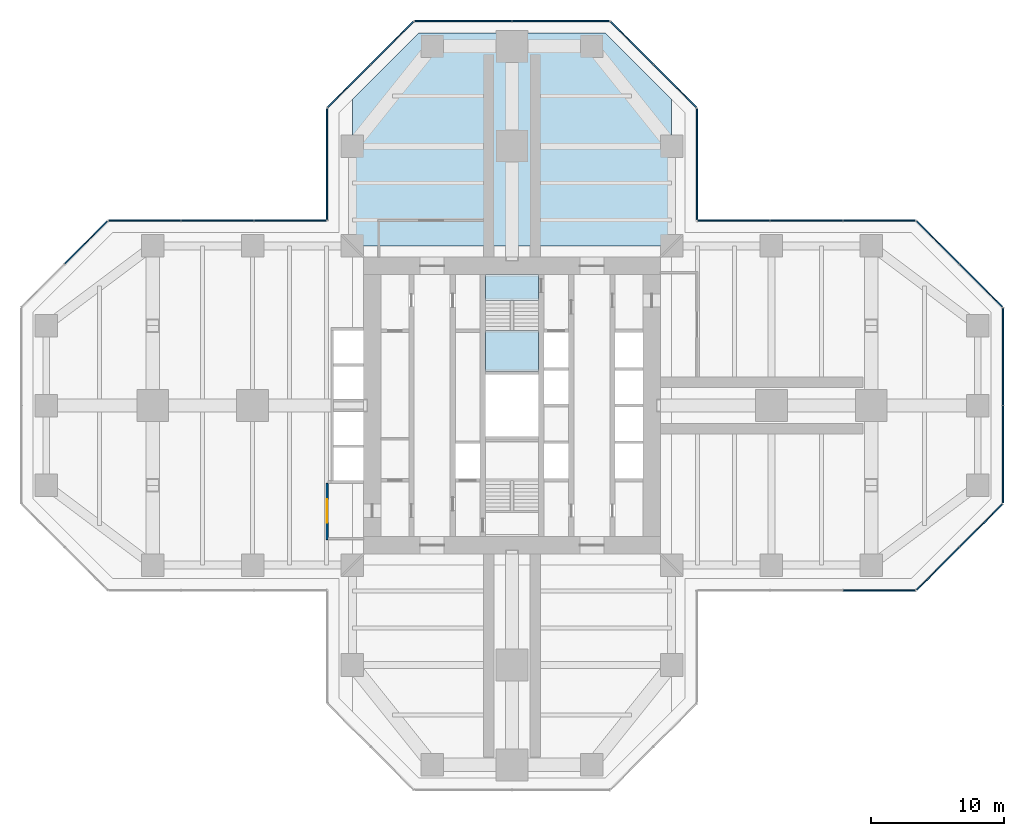
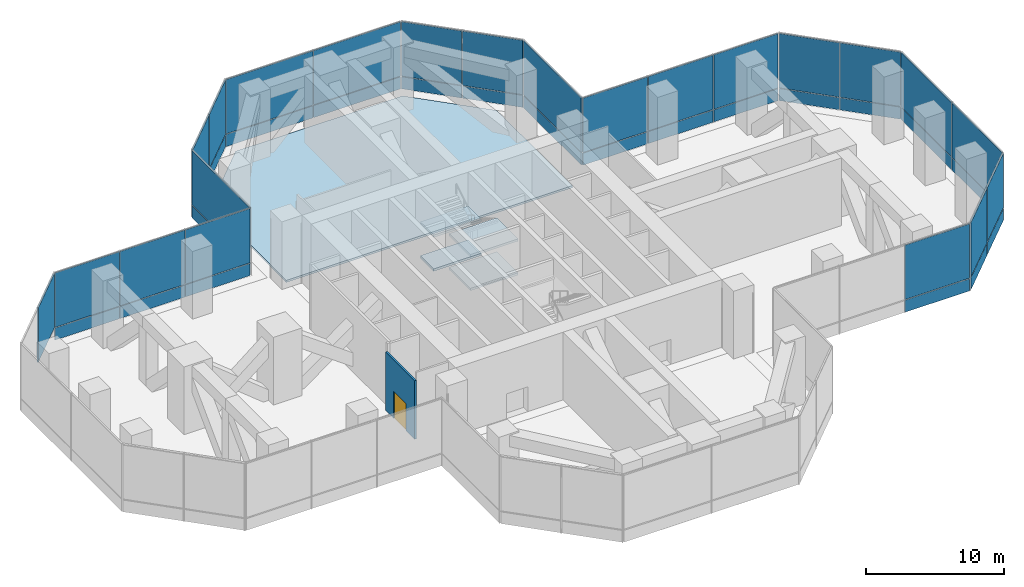
# One storey, part 13 of 19: 43 plates, 5 slabs, 1 door, 1 wall, 1 opening, 13 elements without a shape of their own.
"""IFC4 building model written with IfcOpenShell, lengths in metres."""

from ifc_helpers import new_model, si_unit, direction, frame, frame_2d, origin, origin_2d, place, context, subcontext, project, spatial, polyline, rectangle, outline, extrude, material, layer, layer_set, type_object, element, fill, aggregate, save


model = new_model("IFC4")

# Units and contexts
model_context = context("Model", 3, precision=1e-05, world=origin(), true_north=direction((0.0, 1.0)))
body_context = subcontext(model_context, "Body", "Model", "MODEL_VIEW")
ifc_project = project(units=[si_unit("LENGTHUNIT", "METRE"), si_unit("AREAUNIT", "SQUARE_METRE"), si_unit("VOLUMEUNIT", "CUBIC_METRE"), si_unit("PLANEANGLEUNIT", "RADIAN"), si_unit("MASSUNIT", "GRAM", prefix="KILO")], contexts=[model_context])

# Site, building, storey
site_placement = place(None, origin())
site = spatial("IfcSite", under=ifc_project, at=site_placement, CompositionType="ELEMENT")
building_placement = place(site_placement, origin())
building = spatial("IfcBuilding", under=site, at=building_placement, Name="Mizan Broadcast Tower", CompositionType="ELEMENT")
storey_placement = place(building_placement, frame((0.0, 0.0, 198.89990234375)))
storey = spatial("IfcBuildingStorey", under=building, at=storey_placement, Name="L46", CompositionType="ELEMENT", Elevation=198.89990234375)

# Curtain wall, plates
ifc_material_1 = material(Name="Aluminium framed glazing", Category="aluminium")
curtain_wall_type = type_object("IfcCurtainWallType", Name="PLANT LOUVRE", PredefinedType="USERDEFINED", material=ifc_material_1)
curtain_wall_1_placement = place(storey_placement, origin())
curtain_wall_1 = element("IfcCurtainWall", 1, at=curtain_wall_1_placement, inside=storey, type_object=curtain_wall_type, Name="Plant louvre L46 E side", ObjectType="PLANT LOUVRE", PredefinedType="USERDEFINED")
ifc_material_2 = material(Name="Extruded aluminium weather louvre, pale anodised", Category="aluminium")
ifc_layer_1 = layer(ifc_material_2, 0.10009765625)
ifc_layer_set_1 = layer_set([ifc_layer_1], Name="Extruded aluminium weather louvre, pale anodised")
plate_type = type_object("IfcPlateType", Name="PLANT LOUVRE PANEL", PredefinedType="USERDEFINED", material=ifc_layer_set_1)
plate_1_placement = place(storey_placement, frame((27.6123046875, -13.89990234375, 0.0), z_axis=(0.0, 0.0, 1.0), x_axis=(1.0, 0.0, 0.0)))
plate_1 = element("IfcPlate", 2, at=plate_1_placement, type_object=plate_type, Name="Plant louvre L46 E side panel 3.1", ObjectType="LOUVRE", PredefinedType="USERDEFINED", context=body_context, shape_type="SweptSolid", body=[
    extrude(rectangle(XDim=5.40087890625, YDim=0.10009765625, at=origin_2d()), origin(), (0.0, 0.0, 1.0), 1.070068359375),
])
plate_2_placement = place(storey_placement, frame((27.6123046875, -13.89990234375, 1.130126953125), z_axis=(0.0, 0.0, 1.0), x_axis=(1.0, 0.0, 0.0)))
plate_2 = element("IfcPlate", 3, at=plate_2_placement, type_object=plate_type, Name="Plant louvre L46 E side panel 3.2", ObjectType="LOUVRE", PredefinedType="USERDEFINED", context=body_context, shape_type="SweptSolid", body=[
    extrude(rectangle(XDim=5.40087890625, YDim=0.10009765625, at=origin_2d()), origin(), (0.0, 0.0, 1.0), 4.81005859375),
])
aggregate(curtain_wall_1, [plate_1, plate_2])

curtain_wall_2_placement = place(storey_placement, origin())
curtain_wall_2 = element("IfcCurtainWall", 4, at=curtain_wall_2_placement, inside=storey, type_object=curtain_wall_type, Name="Plant louvre L46 E chamfer", ObjectType="PLANT LOUVRE", PredefinedType="USERDEFINED")
plate_3_placement = place(storey_placement, frame((32.01513671875, -12.257568359375, 0.0), z_axis=(0.0, 0.0, 1.0), x_axis=(0.707106781187, 0.707106781187, 0.0)))
plate_3 = element("IfcPlate", 5, at=plate_3_placement, type_object=plate_type, Name="Plant louvre L46 E chamfer panel 1.1", ObjectType="LOUVRE", PredefinedType="USERDEFINED", context=body_context, shape_type="SweptSolid", body=[
    extrude(rectangle(XDim=4.525390625, YDim=0.10009765625, at=origin_2d()), origin(), (0.0, 0.0, 1.0), 1.070068359375),
])
plate_4_placement = place(storey_placement, frame((32.01513671875, -12.257568359375, 1.130126953125), z_axis=(0.0, 0.0, 1.0), x_axis=(0.707106781187, 0.707106781187, 0.0)))
plate_4 = element("IfcPlate", 6, at=plate_4_placement, type_object=plate_type, Name="Plant louvre L46 E chamfer panel 1.2", ObjectType="LOUVRE", PredefinedType="USERDEFINED", context=body_context, shape_type="SweptSolid", body=[
    extrude(rectangle(XDim=4.525390625, YDim=0.10009765625, at=origin_2d()), origin(), (0.0, 0.0, 1.0), 4.81005859375),
])
plate_5_placement = place(storey_placement, frame((35.257568359375, -9.01513671875, 0.0), z_axis=(0.0, 0.0, 1.0), x_axis=(0.707106781187, 0.707106781187, 0.0)))
plate_5 = element("IfcPlate", 7, at=plate_5_placement, type_object=plate_type, Name="Plant louvre L46 E chamfer panel 2.1", ObjectType="LOUVRE", PredefinedType="USERDEFINED", context=body_context, shape_type="SweptSolid", body=[
    extrude(rectangle(XDim=4.525390625, YDim=0.10009765625, at=origin_2d()), origin(), (0.0, 0.0, 1.0), 1.070068359375),
])
plate_6_placement = place(storey_placement, frame((35.257568359375, -9.01513671875, 1.130126953125), z_axis=(0.0, 0.0, 1.0), x_axis=(0.707106781187, 0.707106781187, 0.0)))
plate_6 = element("IfcPlate", 8, at=plate_6_placement, type_object=plate_type, Name="Plant louvre L46 E chamfer panel 2.2", ObjectType="LOUVRE", PredefinedType="USERDEFINED", context=body_context, shape_type="SweptSolid", body=[
    extrude(rectangle(XDim=4.525390625, YDim=0.10009765625, at=origin_2d()), origin(), (0.0, 0.0, 1.0), 4.81005859375),
])
aggregate(curtain_wall_2, [plate_3, plate_4, plate_5, plate_6])

curtain_wall_3_placement = place(storey_placement, origin())
curtain_wall_3 = element("IfcCurtainWall", 9, at=curtain_wall_3_placement, inside=storey, type_object=curtain_wall_type, Name="Plant louvre L46 E end", ObjectType="PLANT LOUVRE", PredefinedType="USERDEFINED")
plate_7_placement = place(storey_placement, frame((36.89990234375, -3.67138671875, 0.0), z_axis=(0.0, 0.0, 1.0), x_axis=(0.0, 1.0, 0.0)))
plate_7 = element("IfcPlate", 10, at=plate_7_placement, type_object=plate_type, Name="Plant louvre L46 E end panel 1.1", ObjectType="LOUVRE", PredefinedType="USERDEFINED", context=body_context, shape_type="SweptSolid", body=[
    extrude(rectangle(XDim=7.28271484375, YDim=0.10009765625, at=origin_2d()), origin(), (0.0, 0.0, 1.0), 1.070068359375),
])
plate_8_placement = place(storey_placement, frame((36.89990234375, -3.67138671875, 1.130126953125), z_axis=(0.0, 0.0, 1.0), x_axis=(0.0, 1.0, 0.0)))
plate_8 = element("IfcPlate", 11, at=plate_8_placement, type_object=plate_type, Name="Plant louvre L46 E end panel 1.2", ObjectType="LOUVRE", PredefinedType="USERDEFINED", context=body_context, shape_type="SweptSolid", body=[
    extrude(rectangle(XDim=7.28271484375, YDim=0.10009765625, at=origin_2d()), origin(), (0.0, 0.0, 1.0), 4.81005859375),
])
plate_9_placement = place(storey_placement, frame((36.89990234375, 3.67138671875, 0.0), z_axis=(0.0, 0.0, 1.0), x_axis=(0.0, 1.0, 0.0)))
plate_9 = element("IfcPlate", 12, at=plate_9_placement, type_object=plate_type, Name="Plant louvre L46 E end panel 2.1", ObjectType="LOUVRE", PredefinedType="USERDEFINED", context=body_context, shape_type="SweptSolid", body=[
    extrude(rectangle(XDim=7.28271484375, YDim=0.10009765625, at=origin_2d()), origin(), (0.0, 0.0, 1.0), 1.070068359375),
])
plate_10_placement = place(storey_placement, frame((36.89990234375, 3.67138671875, 1.130126953125), z_axis=(0.0, 0.0, 1.0), x_axis=(0.0, 1.0, 0.0)))
plate_10 = element("IfcPlate", 13, at=plate_10_placement, type_object=plate_type, Name="Plant louvre L46 E end panel 2.2", ObjectType="LOUVRE", PredefinedType="USERDEFINED", context=body_context, shape_type="SweptSolid", body=[
    extrude(rectangle(XDim=7.28271484375, YDim=0.10009765625, at=origin_2d()), origin(), (0.0, 0.0, 1.0), 4.81005859375),
])
aggregate(curtain_wall_3, [plate_7, plate_8, plate_9, plate_10])

curtain_wall_4_placement = place(storey_placement, origin())
curtain_wall_4 = element("IfcCurtainWall", 14, at=curtain_wall_4_placement, inside=storey, type_object=curtain_wall_type, Name="Plant louvre L46 E chamfer", ObjectType="PLANT LOUVRE", PredefinedType="USERDEFINED")
plate_11_placement = place(storey_placement, frame((35.257568359375, 9.01513671875, 0.0), z_axis=(0.0, 0.0, 1.0), x_axis=(-0.707106781187, 0.707106781187, 0.0)))
plate_11 = element("IfcPlate", 15, at=plate_11_placement, type_object=plate_type, Name="Plant louvre L46 E chamfer panel 1.1", ObjectType="LOUVRE", PredefinedType="USERDEFINED", context=body_context, shape_type="SweptSolid", body=[
    extrude(rectangle(XDim=4.525390625, YDim=0.10009765625, at=origin_2d()), origin(), (0.0, 0.0, 1.0), 1.070068359375),
])
plate_12_placement = place(storey_placement, frame((35.257568359375, 9.01513671875, 1.130126953125), z_axis=(0.0, 0.0, 1.0), x_axis=(-0.707106781187, 0.707106781187, 0.0)))
plate_12 = element("IfcPlate", 16, at=plate_12_placement, type_object=plate_type, Name="Plant louvre L46 E chamfer panel 1.2", ObjectType="LOUVRE", PredefinedType="USERDEFINED", context=body_context, shape_type="SweptSolid", body=[
    extrude(rectangle(XDim=4.525390625, YDim=0.10009765625, at=origin_2d()), origin(), (0.0, 0.0, 1.0), 4.81005859375),
])
plate_13_placement = place(storey_placement, frame((32.01513671875, 12.257568359375, 0.0), z_axis=(0.0, 0.0, 1.0), x_axis=(-0.707106781187, 0.707106781187, 0.0)))
plate_13 = element("IfcPlate", 17, at=plate_13_placement, type_object=plate_type, Name="Plant louvre L46 E chamfer panel 2.1", ObjectType="LOUVRE", PredefinedType="USERDEFINED", context=body_context, shape_type="SweptSolid", body=[
    extrude(rectangle(XDim=4.525390625, YDim=0.10009765625, at=origin_2d()), origin(), (0.0, 0.0, 1.0), 1.070068359375),
])
plate_14_placement = place(storey_placement, frame((32.01513671875, 12.257568359375, 1.130126953125), z_axis=(0.0, 0.0, 1.0), x_axis=(-0.707106781187, 0.707106781187, 0.0)))
plate_14 = element("IfcPlate", 18, at=plate_14_placement, type_object=plate_type, Name="Plant louvre L46 E chamfer panel 2.2", ObjectType="LOUVRE", PredefinedType="USERDEFINED", context=body_context, shape_type="SweptSolid", body=[
    extrude(rectangle(XDim=4.525390625, YDim=0.10009765625, at=origin_2d()), origin(), (0.0, 0.0, 1.0), 4.81005859375),
])
aggregate(curtain_wall_4, [plate_11, plate_12, plate_13, plate_14])

curtain_wall_5_placement = place(storey_placement, origin())
curtain_wall_5 = element("IfcCurtainWall", 19, at=curtain_wall_5_placement, inside=storey, type_object=curtain_wall_type, Name="Plant louvre L46 E side", ObjectType="PLANT LOUVRE", PredefinedType="USERDEFINED")
plate_15_placement = place(storey_placement, frame((27.6123046875, 13.89990234375, 0.0), z_axis=(0.0, 0.0, 1.0), x_axis=(-1.0, 0.0, 0.0)))
plate_15 = element("IfcPlate", 20, at=plate_15_placement, type_object=plate_type, Name="Plant louvre L46 E side panel 1.1", ObjectType="LOUVRE", PredefinedType="USERDEFINED", context=body_context, shape_type="SweptSolid", body=[
    extrude(rectangle(XDim=5.40087890625, YDim=0.10009765625, at=origin_2d()), origin(), (0.0, 0.0, 1.0), 1.070068359375),
])
plate_16_placement = place(storey_placement, frame((27.6123046875, 13.89990234375, 1.130126953125), z_axis=(0.0, 0.0, 1.0), x_axis=(-1.0, 0.0, 0.0)))
plate_16 = element("IfcPlate", 21, at=plate_16_placement, type_object=plate_type, Name="Plant louvre L46 E side panel 1.2", ObjectType="LOUVRE", PredefinedType="USERDEFINED", context=body_context, shape_type="SweptSolid", body=[
    extrude(rectangle(XDim=5.40087890625, YDim=0.10009765625, at=origin_2d()), origin(), (0.0, 0.0, 1.0), 4.81005859375),
])
plate_17_placement = place(storey_placement, frame((22.136474609375, 13.89990234375, 0.0), z_axis=(0.0, 0.0, 1.0), x_axis=(-1.0, 0.0, 0.0)))
plate_17 = element("IfcPlate", 22, at=plate_17_placement, type_object=plate_type, Name="Plant louvre L46 E side panel 2.1", ObjectType="LOUVRE", PredefinedType="USERDEFINED", context=body_context, shape_type="SweptSolid", body=[
    extrude(rectangle(XDim=5.430908203125, YDim=0.10009765625, at=origin_2d()), origin(), (0.0, 0.0, 1.0), 1.070068359375),
])
plate_18_placement = place(storey_placement, frame((22.136474609375, 13.89990234375, 1.130126953125), z_axis=(0.0, 0.0, 1.0), x_axis=(-1.0, 0.0, 0.0)))
plate_18 = element("IfcPlate", 23, at=plate_18_placement, type_object=plate_type, Name="Plant louvre L46 E side panel 2.2", ObjectType="LOUVRE", PredefinedType="USERDEFINED", context=body_context, shape_type="SweptSolid", body=[
    extrude(rectangle(XDim=5.430908203125, YDim=0.10009765625, at=origin_2d()), origin(), (0.0, 0.0, 1.0), 4.81005859375),
])
plate_19_placement = place(storey_placement, frame((16.660400390625, 13.89990234375, 0.0), z_axis=(0.0, 0.0, 1.0), x_axis=(-1.0, 0.0, 0.0)))
plate_19 = element("IfcPlate", 24, at=plate_19_placement, type_object=plate_type, Name="Plant louvre L46 E side panel 3.1", ObjectType="LOUVRE", PredefinedType="USERDEFINED", context=body_context, shape_type="SweptSolid", body=[
    extrude(rectangle(XDim=5.40087890625, YDim=0.10009765625, at=origin_2d()), origin(), (0.0, 0.0, 1.0), 1.070068359375),
])
plate_20_placement = place(storey_placement, frame((16.660400390625, 13.89990234375, 1.130126953125), z_axis=(0.0, 0.0, 1.0), x_axis=(-1.0, 0.0, 0.0)))
plate_20 = element("IfcPlate", 25, at=plate_20_placement, type_object=plate_type, Name="Plant louvre L46 E side panel 3.2", ObjectType="LOUVRE", PredefinedType="USERDEFINED", context=body_context, shape_type="SweptSolid", body=[
    extrude(rectangle(XDim=5.40087890625, YDim=0.10009765625, at=origin_2d()), origin(), (0.0, 0.0, 1.0), 4.81005859375),
])
aggregate(curtain_wall_5, [plate_15, plate_16, plate_17, plate_18, plate_19, plate_20])

curtain_wall_6_placement = place(storey_placement, origin())
curtain_wall_6 = element("IfcCurtainWall", 26, at=curtain_wall_6_placement, inside=storey, type_object=curtain_wall_type, Name="Plant louvre L46 N side", ObjectType="PLANT LOUVRE", PredefinedType="USERDEFINED")
plate_21_placement = place(storey_placement, frame((13.89990234375, 18.136474609375, 0.0), z_axis=(0.0, 0.0, 1.0), x_axis=(0.0, 1.0, 0.0)))
plate_21 = element("IfcPlate", 27, at=plate_21_placement, type_object=plate_type, Name="Plant louvre L46 N side panel 1.1", ObjectType="LOUVRE", PredefinedType="USERDEFINED", context=body_context, shape_type="SweptSolid", body=[
    extrude(rectangle(XDim=8.352783203125, YDim=0.10009765625, at=origin_2d()), origin(), (0.0, 0.0, 1.0), 1.070068359375),
])
plate_22_placement = place(storey_placement, frame((13.89990234375, 18.136474609375, 1.130126953125), z_axis=(0.0, 0.0, 1.0), x_axis=(0.0, 1.0, 0.0)))
plate_22 = element("IfcPlate", 28, at=plate_22_placement, type_object=plate_type, Name="Plant louvre L46 N side panel 1.2", ObjectType="LOUVRE", PredefinedType="USERDEFINED", context=body_context, shape_type="SweptSolid", body=[
    extrude(rectangle(XDim=8.352783203125, YDim=0.10009765625, at=origin_2d()), origin(), (0.0, 0.0, 1.0), 4.81005859375),
])
aggregate(curtain_wall_6, [plate_21, plate_22])

curtain_wall_7_placement = place(storey_placement, origin())
curtain_wall_7 = element("IfcCurtainWall", 29, at=curtain_wall_7_placement, inside=storey, type_object=curtain_wall_type, Name="Plant louvre L46 N chamfer", ObjectType="PLANT LOUVRE", PredefinedType="USERDEFINED")
plate_23_placement = place(storey_placement, frame((12.257568359375, 24.01513671875, 0.0), z_axis=(0.0, 0.0, 1.0), x_axis=(-0.707106781187, 0.707106781187, 0.0)))
plate_23 = element("IfcPlate", 30, at=plate_23_placement, type_object=plate_type, Name="Plant louvre L46 N chamfer panel 1.1", ObjectType="LOUVRE", PredefinedType="USERDEFINED", context=body_context, shape_type="SweptSolid", body=[
    extrude(rectangle(XDim=4.525390625, YDim=0.10009765625, at=origin_2d()), origin(), (0.0, 0.0, 1.0), 1.070068359375),
])
plate_24_placement = place(storey_placement, frame((12.257568359375, 24.01513671875, 1.130126953125), z_axis=(0.0, 0.0, 1.0), x_axis=(-0.707106781187, 0.707106781187, 0.0)))
plate_24 = element("IfcPlate", 31, at=plate_24_placement, type_object=plate_type, Name="Plant louvre L46 N chamfer panel 1.2", ObjectType="LOUVRE", PredefinedType="USERDEFINED", context=body_context, shape_type="SweptSolid", body=[
    extrude(rectangle(XDim=4.525390625, YDim=0.10009765625, at=origin_2d()), origin(), (0.0, 0.0, 1.0), 4.81005859375),
])
plate_25_placement = place(storey_placement, frame((9.01513671875, 27.257568359375, 0.0), z_axis=(0.0, 0.0, 1.0), x_axis=(-0.707106781187, 0.707106781187, 0.0)))
plate_25 = element("IfcPlate", 32, at=plate_25_placement, type_object=plate_type, Name="Plant louvre L46 N chamfer panel 2.1", ObjectType="LOUVRE", PredefinedType="USERDEFINED", context=body_context, shape_type="SweptSolid", body=[
    extrude(rectangle(XDim=4.525390625, YDim=0.10009765625, at=origin_2d()), origin(), (0.0, 0.0, 1.0), 1.070068359375),
])
plate_26_placement = place(storey_placement, frame((9.01513671875, 27.257568359375, 1.130126953125), z_axis=(0.0, 0.0, 1.0), x_axis=(-0.707106781187, 0.707106781187, 0.0)))
plate_26 = element("IfcPlate", 33, at=plate_26_placement, type_object=plate_type, Name="Plant louvre L46 N chamfer panel 2.2", ObjectType="LOUVRE", PredefinedType="USERDEFINED", context=body_context, shape_type="SweptSolid", body=[
    extrude(rectangle(XDim=4.525390625, YDim=0.10009765625, at=origin_2d()), origin(), (0.0, 0.0, 1.0), 4.81005859375),
])
aggregate(curtain_wall_7, [plate_23, plate_24, plate_25, plate_26])

curtain_wall_8_placement = place(storey_placement, origin())
curtain_wall_8 = element("IfcCurtainWall", 34, at=curtain_wall_8_placement, inside=storey, type_object=curtain_wall_type, Name="Plant louvre L46 N end", ObjectType="PLANT LOUVRE", PredefinedType="USERDEFINED")
plate_27_placement = place(storey_placement, frame((3.67138671875, 28.89990234375, 0.0), z_axis=(0.0, 0.0, 1.0), x_axis=(-1.0, 0.0, 0.0)))
plate_27 = element("IfcPlate", 35, at=plate_27_placement, type_object=plate_type, Name="Plant louvre L46 N end panel 1.1", ObjectType="LOUVRE", PredefinedType="USERDEFINED", context=body_context, shape_type="SweptSolid", body=[
    extrude(rectangle(XDim=7.28271484375, YDim=0.10009765625, at=origin_2d()), origin(), (0.0, 0.0, 1.0), 1.070068359375),
])
plate_28_placement = place(storey_placement, frame((3.67138671875, 28.89990234375, 1.130126953125), z_axis=(0.0, 0.0, 1.0), x_axis=(-1.0, 0.0, 0.0)))
plate_28 = element("IfcPlate", 36, at=plate_28_placement, type_object=plate_type, Name="Plant louvre L46 N end panel 1.2", ObjectType="LOUVRE", PredefinedType="USERDEFINED", context=body_context, shape_type="SweptSolid", body=[
    extrude(rectangle(XDim=7.28271484375, YDim=0.10009765625, at=origin_2d()), origin(), (0.0, 0.0, 1.0), 4.81005859375),
])
plate_29_placement = place(storey_placement, frame((-3.67138671875, 28.89990234375, 0.0), z_axis=(0.0, 0.0, 1.0), x_axis=(-1.0, 0.0, 0.0)))
plate_29 = element("IfcPlate", 37, at=plate_29_placement, type_object=plate_type, Name="Plant louvre L46 N end panel 2.1", ObjectType="LOUVRE", PredefinedType="USERDEFINED", context=body_context, shape_type="SweptSolid", body=[
    extrude(rectangle(XDim=7.28271484375, YDim=0.10009765625, at=origin_2d()), origin(), (0.0, 0.0, 1.0), 1.070068359375),
])
plate_30_placement = place(storey_placement, frame((-3.67138671875, 28.89990234375, 1.130126953125), z_axis=(0.0, 0.0, 1.0), x_axis=(-1.0, 0.0, 0.0)))
plate_30 = element("IfcPlate", 38, at=plate_30_placement, type_object=plate_type, Name="Plant louvre L46 N end panel 2.2", ObjectType="LOUVRE", PredefinedType="USERDEFINED", context=body_context, shape_type="SweptSolid", body=[
    extrude(rectangle(XDim=7.28271484375, YDim=0.10009765625, at=origin_2d()), origin(), (0.0, 0.0, 1.0), 4.81005859375),
])
aggregate(curtain_wall_8, [plate_27, plate_28, plate_29, plate_30])

curtain_wall_9_placement = place(storey_placement, origin())
curtain_wall_9 = element("IfcCurtainWall", 39, at=curtain_wall_9_placement, inside=storey, type_object=curtain_wall_type, Name="Plant louvre L46 N chamfer", ObjectType="PLANT LOUVRE", PredefinedType="USERDEFINED")
plate_31_placement = place(storey_placement, frame((-9.01513671875, 27.257568359375, 0.0), z_axis=(0.0, 0.0, 1.0), x_axis=(-0.707106781187, -0.707106781187, 0.0)))
plate_31 = element("IfcPlate", 40, at=plate_31_placement, type_object=plate_type, Name="Plant louvre L46 N chamfer panel 1.1", ObjectType="LOUVRE", PredefinedType="USERDEFINED", context=body_context, shape_type="SweptSolid", body=[
    extrude(rectangle(XDim=4.525390625, YDim=0.10009765625, at=origin_2d()), origin(), (0.0, 0.0, 1.0), 1.070068359375),
])
plate_32_placement = place(storey_placement, frame((-9.01513671875, 27.257568359375, 1.130126953125), z_axis=(0.0, 0.0, 1.0), x_axis=(-0.707106781187, -0.707106781187, 0.0)))
plate_32 = element("IfcPlate", 41, at=plate_32_placement, type_object=plate_type, Name="Plant louvre L46 N chamfer panel 1.2", ObjectType="LOUVRE", PredefinedType="USERDEFINED", context=body_context, shape_type="SweptSolid", body=[
    extrude(rectangle(XDim=4.525390625, YDim=0.10009765625, at=origin_2d()), origin(), (0.0, 0.0, 1.0), 4.81005859375),
])
plate_33_placement = place(storey_placement, frame((-12.257568359375, 24.01513671875, 0.0), z_axis=(0.0, 0.0, 1.0), x_axis=(-0.707106781187, -0.707106781187, 0.0)))
plate_33 = element("IfcPlate", 42, at=plate_33_placement, type_object=plate_type, Name="Plant louvre L46 N chamfer panel 2.1", ObjectType="LOUVRE", PredefinedType="USERDEFINED", context=body_context, shape_type="SweptSolid", body=[
    extrude(rectangle(XDim=4.525390625, YDim=0.10009765625, at=origin_2d()), origin(), (0.0, 0.0, 1.0), 1.070068359375),
])
plate_34_placement = place(storey_placement, frame((-12.257568359375, 24.01513671875, 1.130126953125), z_axis=(0.0, 0.0, 1.0), x_axis=(-0.707106781187, -0.707106781187, 0.0)))
plate_34 = element("IfcPlate", 43, at=plate_34_placement, type_object=plate_type, Name="Plant louvre L46 N chamfer panel 2.2", ObjectType="LOUVRE", PredefinedType="USERDEFINED", context=body_context, shape_type="SweptSolid", body=[
    extrude(rectangle(XDim=4.525390625, YDim=0.10009765625, at=origin_2d()), origin(), (0.0, 0.0, 1.0), 4.81005859375),
])
aggregate(curtain_wall_9, [plate_31, plate_32, plate_33, plate_34])

curtain_wall_10_placement = place(storey_placement, origin())
curtain_wall_10 = element("IfcCurtainWall", 44, at=curtain_wall_10_placement, inside=storey, type_object=curtain_wall_type, Name="Plant louvre L46 N side", ObjectType="PLANT LOUVRE", PredefinedType="USERDEFINED")
plate_35_placement = place(storey_placement, frame((-13.89990234375, 18.136474609375, 0.0), z_axis=(0.0, 0.0, 1.0), x_axis=(0.0, -1.0, 0.0)))
plate_35 = element("IfcPlate", 45, at=plate_35_placement, type_object=plate_type, Name="Plant louvre L46 N side panel 1.1", ObjectType="LOUVRE", PredefinedType="USERDEFINED", context=body_context, shape_type="SweptSolid", body=[
    extrude(rectangle(XDim=8.352783203125, YDim=0.10009765625, at=origin_2d()), origin(), (0.0, 0.0, 1.0), 1.070068359375),
])
plate_36_placement = place(storey_placement, frame((-13.89990234375, 18.136474609375, 1.130126953125), z_axis=(0.0, 0.0, 1.0), x_axis=(0.0, -1.0, 0.0)))
plate_36 = element("IfcPlate", 46, at=plate_36_placement, type_object=plate_type, Name="Plant louvre L46 N side panel 1.2", ObjectType="LOUVRE", PredefinedType="USERDEFINED", context=body_context, shape_type="SweptSolid", body=[
    extrude(rectangle(XDim=8.352783203125, YDim=0.10009765625, at=origin_2d()), origin(), (0.0, 0.0, 1.0), 4.81005859375),
])
aggregate(curtain_wall_10, [plate_35, plate_36])

curtain_wall_11_placement = place(storey_placement, origin())
curtain_wall_11 = element("IfcCurtainWall", 47, at=curtain_wall_11_placement, inside=storey, type_object=curtain_wall_type, Name="Plant louvre L46 W side", ObjectType="PLANT LOUVRE", PredefinedType="USERDEFINED")
plate_37_placement = place(storey_placement, frame((-16.660400390625, 13.89990234375, 0.0), z_axis=(0.0, 0.0, 1.0), x_axis=(-1.0, 0.0, 0.0)))
plate_37 = element("IfcPlate", 48, at=plate_37_placement, type_object=plate_type, Name="Plant louvre L46 W side panel 1.1", ObjectType="LOUVRE", PredefinedType="USERDEFINED", context=body_context, shape_type="SweptSolid", body=[
    extrude(rectangle(XDim=5.40087890625, YDim=0.10009765625, at=origin_2d()), origin(), (0.0, 0.0, 1.0), 1.070068359375),
])
plate_38_placement = place(storey_placement, frame((-16.660400390625, 13.89990234375, 1.130126953125), z_axis=(0.0, 0.0, 1.0), x_axis=(-1.0, 0.0, 0.0)))
plate_38 = element("IfcPlate", 49, at=plate_38_placement, type_object=plate_type, Name="Plant louvre L46 W side panel 1.2", ObjectType="LOUVRE", PredefinedType="USERDEFINED", context=body_context, shape_type="SweptSolid", body=[
    extrude(rectangle(XDim=5.40087890625, YDim=0.10009765625, at=origin_2d()), origin(), (0.0, 0.0, 1.0), 4.81005859375),
])
plate_39_placement = place(storey_placement, frame((-22.136474609375, 13.89990234375, 0.0), z_axis=(0.0, 0.0, 1.0), x_axis=(-1.0, 0.0, 0.0)))
plate_39 = element("IfcPlate", 50, at=plate_39_placement, type_object=plate_type, Name="Plant louvre L46 W side panel 2.1", ObjectType="LOUVRE", PredefinedType="USERDEFINED", context=body_context, shape_type="SweptSolid", body=[
    extrude(rectangle(XDim=5.430908203125, YDim=0.10009765625, at=origin_2d()), origin(), (0.0, 0.0, 1.0), 1.070068359375),
])
plate_40_placement = place(storey_placement, frame((-22.136474609375, 13.89990234375, 1.130126953125), z_axis=(0.0, 0.0, 1.0), x_axis=(-1.0, 0.0, 0.0)))
plate_40 = element("IfcPlate", 51, at=plate_40_placement, type_object=plate_type, Name="Plant louvre L46 W side panel 2.2", ObjectType="LOUVRE", PredefinedType="USERDEFINED", context=body_context, shape_type="SweptSolid", body=[
    extrude(rectangle(XDim=5.430908203125, YDim=0.10009765625, at=origin_2d()), origin(), (0.0, 0.0, 1.0), 4.81005859375),
])
plate_41_placement = place(storey_placement, frame((-27.6123046875, 13.89990234375, 0.0), z_axis=(0.0, 0.0, 1.0), x_axis=(-1.0, 0.0, 0.0)))
plate_41 = element("IfcPlate", 52, at=plate_41_placement, type_object=plate_type, Name="Plant louvre L46 W side panel 3.1", ObjectType="LOUVRE", PredefinedType="USERDEFINED", context=body_context, shape_type="SweptSolid", body=[
    extrude(rectangle(XDim=5.40087890625, YDim=0.10009765625, at=origin_2d()), origin(), (0.0, 0.0, 1.0), 1.070068359375),
])
plate_42_placement = place(storey_placement, frame((-27.6123046875, 13.89990234375, 1.130126953125), z_axis=(0.0, 0.0, 1.0), x_axis=(-1.0, 0.0, 0.0)))
plate_42 = element("IfcPlate", 53, at=plate_42_placement, type_object=plate_type, Name="Plant louvre L46 W side panel 3.2", ObjectType="LOUVRE", PredefinedType="USERDEFINED", context=body_context, shape_type="SweptSolid", body=[
    extrude(rectangle(XDim=5.40087890625, YDim=0.10009765625, at=origin_2d()), origin(), (0.0, 0.0, 1.0), 4.81005859375),
])
aggregate(curtain_wall_11, [plate_37, plate_38, plate_39, plate_40, plate_41, plate_42])

# Curtain wall, plate
curtain_wall_12_placement = place(storey_placement, origin())
curtain_wall_12 = element("IfcCurtainWall", 54, at=curtain_wall_12_placement, inside=storey, type_object=curtain_wall_type, Name="Plant louvre L46 W chamfer", ObjectType="PLANT LOUVRE", PredefinedType="USERDEFINED")
plate_43_placement = place(storey_placement, frame((-32.01513671875, 12.257568359375, 1.130126953125), z_axis=(0.0, 0.0, 1.0), x_axis=(-0.707106781187, -0.707106781187, 0.0)))
plate_43 = element("IfcPlate", 55, at=plate_43_placement, type_object=plate_type, Name="Plant louvre L46 W chamfer panel 1.2", ObjectType="LOUVRE", PredefinedType="USERDEFINED", context=body_context, shape_type="SweptSolid", body=[
    extrude(rectangle(XDim=4.525390625, YDim=0.10009765625, at=origin_2d()), origin(), (0.0, 0.0, 1.0), 4.81005859375),
])
aggregate(curtain_wall_12, [plate_43])

# Slab
ifc_material_3 = material(Name="Concrete C32/40", Category="concrete")
ifc_layer_2 = layer(ifc_material_3, 0.179931640625)
ifc_layer_set_2 = layer_set([ifc_layer_2], Name="Concrete C32/40")
slab_type_1 = type_object("IfcSlabType", Name="RC SLAB ON DECK 180", PredefinedType="FLOOR", material=ifc_layer_set_2)
slab_1_placement = place(storey_placement, frame((0.0, 0.0, -0.179931640625)))
element("IfcSlab", 56, at=slab_1_placement, inside=storey, type_object=slab_type_1, Name="Floor slab L46 north arm", PredefinedType="FLOOR", context=body_context, shape_type="SweptSolid", body=[
    extrude(outline(polyline([(-7.0, 28.0), (-12.0, 23.0), (-12.0, 12.0), (12.0, 12.0), (12.0, 23.0), (7.0, 28.0), (-7.0, 28.0)])), origin(), (0.0, 0.0, 1.0), 0.179931640625),
])

# Stair, slabs
ifc_material_4 = material(Name="Concrete C40/50", Category="concrete")
stair_type = type_object("IfcStairType", Name="EXIT STAIR", PredefinedType="HALF_TURN_STAIR", material=ifc_material_4)
stair_placement = place(storey_placement, origin())
stair = element("IfcStair", 57, at=stair_placement, inside=storey, type_object=stair_type, Name="Stair B L46", PredefinedType="HALF_TURN_STAIR")
ifc_material_5 = material(Name="Concrete C40/50", Category="concrete")
ifc_layer_3 = layer(ifc_material_5, 0.199951171875)
ifc_layer_set_3 = layer_set([ifc_layer_3], Name="Concrete C40/50")
slab_type_2 = type_object("IfcSlabType", Name="STAIR LANDING 200", PredefinedType="LANDING", material=ifc_layer_set_3)
slab_2_placement = place(storey_placement, frame((0.0, 0.0, -0.199951171875)))
slab_2 = element("IfcSlab", 58, at=slab_2_placement, type_object=slab_type_2, Name="B landing 1", PredefinedType="LANDING", context=body_context, shape_type="SweptSolid", body=[
    extrude(outline(polyline([(2.0, 9.85009765625), (2.0, 7.89990234375), (-2.0, 7.89990234375), (-2.0, 9.85009765625), (2.0, 9.85009765625)])), origin(), (0.0, 0.0, 1.0), 0.199951171875),
])
slab_3_placement = place(storey_placement, frame((0.0, 0.0, 1.300048828125)))
slab_3 = element("IfcSlab", 59, at=slab_3_placement, type_object=slab_type_2, Name="B landing 2", PredefinedType="LANDING", context=body_context, shape_type="SweptSolid", body=[
    extrude(outline(polyline([(2.0, 5.659912109375), (2.0, 2.574951171875), (-2.0, 2.574951171875), (-2.0, 5.659912109375), (2.0, 5.659912109375)])), origin(), (0.0, 0.0, 1.0), 0.199951171875),
])
slab_4_placement = place(storey_placement, frame((0.0, 0.0, 2.800048828125)))
slab_4 = element("IfcSlab", 60, at=slab_4_placement, type_object=slab_type_2, Name="B landing 3", PredefinedType="LANDING", context=body_context, shape_type="SweptSolid", body=[
    extrude(outline(polyline([(2.0, 9.85009765625), (2.0, 7.89990234375), (-2.0, 7.89990234375), (-2.0, 9.85009765625), (2.0, 9.85009765625)])), origin(), (0.0, 0.0, 1.0), 0.199951171875),
])
slab_5_placement = place(storey_placement, frame((0.0, 0.0, 4.300048828125)))
slab_5 = element("IfcSlab", 61, at=slab_5_placement, type_object=slab_type_2, Name="B landing 4", PredefinedType="LANDING", context=body_context, shape_type="SweptSolid", body=[
    extrude(outline(polyline([(2.0, 5.659912109375), (2.0, 2.574951171875), (-2.0, 2.574951171875), (-2.0, 5.659912109375), (2.0, 5.659912109375)])), origin(), (0.0, 0.0, 1.0), 0.199951171875),
])
aggregate(stair, [slab_2, slab_3, slab_4, slab_5])

# Wall, opening, door
ifc_material_6 = material(Name="Concrete blockwork", Category="masonry")
ifc_layer_4 = layer(ifc_material_6, 0.14990234375)
ifc_layer_set_4 = layer_set([ifc_layer_4], Name="Concrete blockwork")
wall_type = type_object("IfcWallType", Name="PLANT ROOM ENCLOSURE WALL 150", PredefinedType="SOLIDWALL", material=ifc_layer_set_4)
wall_placement = place(storey_placement, frame((-13.89990234375, -5.85009765625, 0.0), z_axis=(0.0, 0.0, 1.0), x_axis=(0.0, -1.0, 0.0)))
wall = element("IfcWall", 62, at=wall_placement, inside=storey, type_object=wall_type, Name="Plant room wall PT/WLU", PredefinedType="SOLIDWALL", context=body_context, shape_type="SweptSolid", body=[
    extrude(rectangle(XDim=4.224853515625, YDim=0.14990234375, at=frame_2d((2.1123046875, 0.0))), origin(), (0.0, 0.0, 1.0), 5.18017578125),
])
opening_placement = place(wall_placement, frame((1.175048828125, 0.0, 0.0)))
opening = element("IfcOpeningElement", 63, at=opening_placement, cuts=wall, Name="Opening D18P", PredefinedType="OPENING", context=body_context, shape_type="SweptSolid", body=[
    extrude(rectangle(XDim=1.800048828125, YDim=2.39990234375, at=frame_2d((0.89990234375, 1.199951171875))), frame((0.0, 0.0849609375, 0.0), z_axis=(0.0, -1.0, 0.0), x_axis=(1.0, 0.0, 0.0)), (0.0, 0.0, 1.0), 0.169921875),
])
ifc_material_7 = material(Name="Steel door leaf in steel frame", Category="steel")
door_type = type_object("IfcDoorType", Name="PLANT ROOM DOUBLE DOOR 1800x2400 FD90", OperationType="DOUBLE_DOOR_DOUBLE_SWING", PredefinedType="DOOR", material=ifc_material_7)
door_placement = place(opening_placement, origin())
door = element("IfcDoor", 64, at=door_placement, inside=storey, type_object=door_type, Name="Electrical plant room door", OperationType="DOUBLE_DOOR_DOUBLE_SWING", OverallHeight=2.39990234375, OverallWidth=1.800048828125, PredefinedType="DOOR", context=body_context, shape_type="SweptSolid", body=[
    extrude(rectangle(XDim=1.800048828125, YDim=2.39990234375, at=frame_2d((0.89990234375, 1.199951171875))), frame((0.0, 0.02490234375, 0.0), z_axis=(0.0, -1.0, 0.0), x_axis=(1.0, 0.0, 0.0)), (0.0, 0.0, 1.0), 0.050048828125),
])
fill(opening, door)

save(model, "model.ifc")
